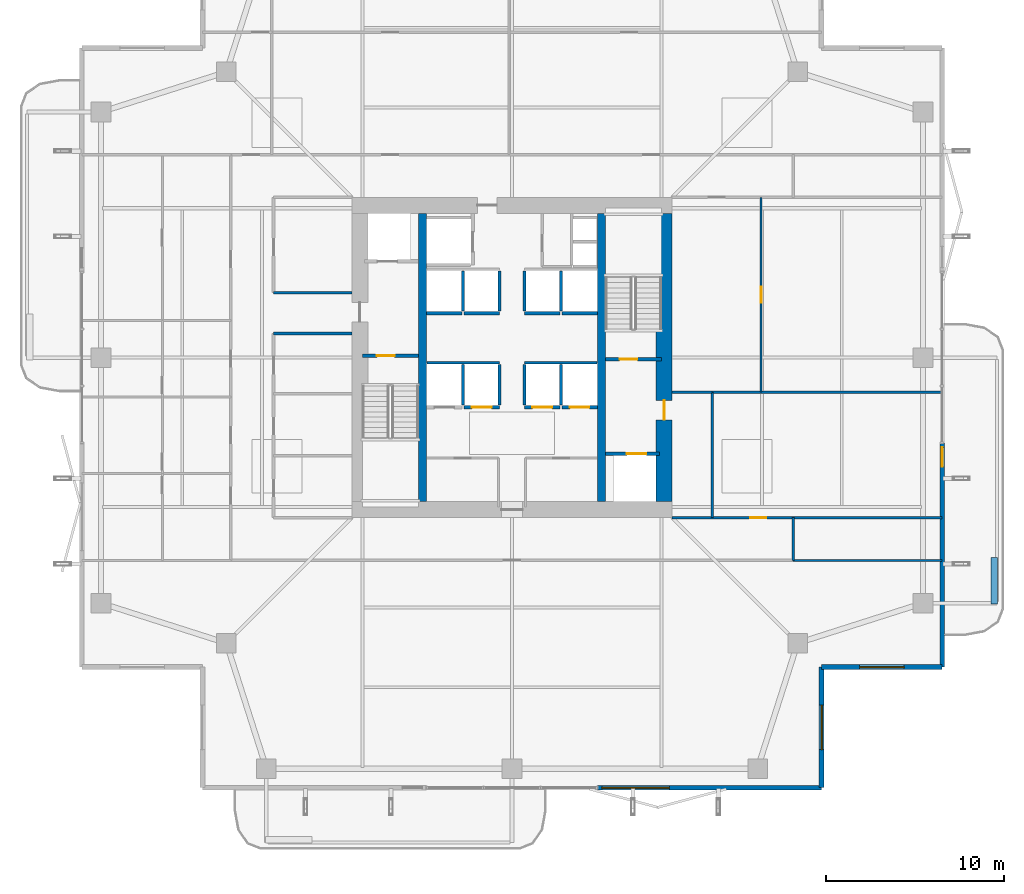
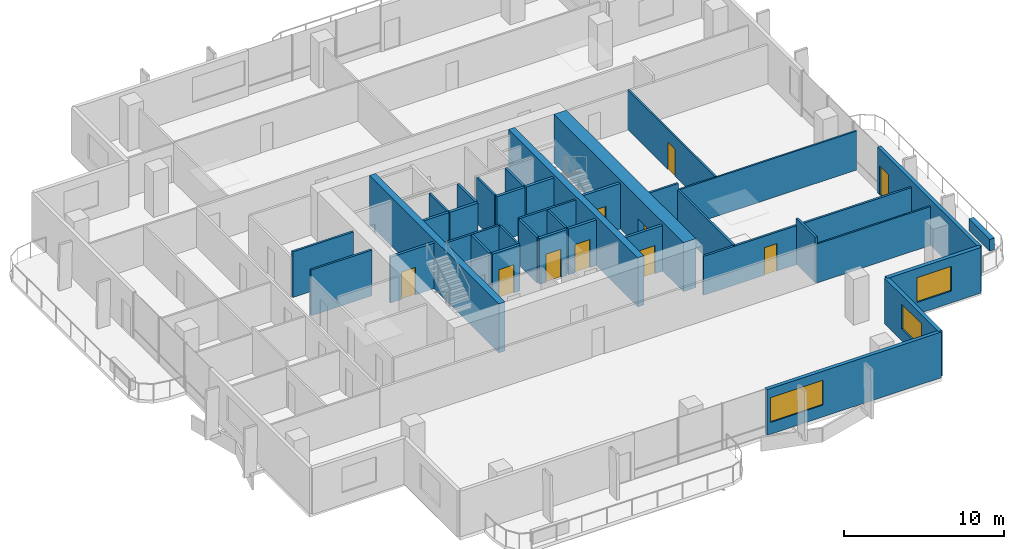
# One storey, part 20 of 25: 37 walls, 10 doors, 3 windows, 13 openings.
"""IFC4 building model written with IfcOpenShell, lengths in metres."""

import ifcopenshell
import ifcopenshell.guid

model = None  # the IFC model being written
_history = None  # IfcOwnerHistory: only IFC2X3 demands one
_inside = {}  # id of a spatial element -> (the spatial element, [elements in it])
_under = {}  # id of a project, library or spatial element -> (it, [spatial elements below it])
_declared = {}  # id of a project -> (the project, [libraries it declares])
_typed = {}  # id of a type object -> (the type object, [elements of that type])
_made_of = {}  # id of a material, layer set ... -> (it, [elements and type objects made of it])


def new_model(schema):
    """Start an empty IFC model of exactly this schema.

    Asked for "IFC4X3", IfcOpenShell would pick the latest addendum, in which some entities
    have other attributes; the version numbers below select the first issue.
    IFC2X3 requires an IfcOwnerHistory on every rooted entity: one is made here for all.
    """
    global model, _history
    if schema == "IFC4X3":
        model = ifcopenshell.file(schema_version=(4, 3, 0, 0))
    else:
        model = ifcopenshell.file(schema=schema)
    _inside.clear()
    _under.clear()
    _declared.clear()
    _typed.clear()
    _made_of.clear()
    _history = None
    if model.schema == "IFC2X3":
        org = make("IfcOrganization", Name="unknown")
        user = make(
            "IfcPersonAndOrganization",
            ThePerson=make("IfcPerson", FamilyName="unknown"),
            TheOrganization=org,
        )
        app = make(
            "IfcApplication",
            ApplicationDeveloper=org,
            Version="unknown",
            ApplicationFullName="unknown",
            ApplicationIdentifier="unknown",
        )
        _history = make(
            "IfcOwnerHistory",
            OwningUser=user,
            OwningApplication=app,
            ChangeAction="ADDED",
            CreationDate=0,
        )
    return model


def make(cls, **values):
    """One entity of the class cls with the attributes given. An attribute that is None is left unset."""
    return model.create_entity(
        cls, **{name: value for name, value in values.items() if value is not None}
    )


def rooted(cls, **values):
    """An entity with a GlobalId (a new one), such as an element, a storey or a relation."""
    return make(cls, GlobalId=ifcopenshell.guid.new(), OwnerHistory=_history, **values)


def si_unit(unit_type, name, prefix=None):
    """IfcSIUnit, for example si_unit("LENGTHUNIT", "METRE", prefix="MILLI")."""
    return make("IfcSIUnit", UnitType=unit_type, Prefix=prefix, Name=name)


def assignment(units):
    """IfcUnitAssignment: the units of a project."""
    return None if units is None else make("IfcUnitAssignment", Units=units)


def point(xyz):
    """IfcCartesianPoint."""
    return None if xyz is None else make("IfcCartesianPoint", Coordinates=xyz)


def direction(xyz):
    """IfcDirection."""
    return None if xyz is None else make("IfcDirection", DirectionRatios=xyz)


def frame(location, z_axis=None, x_axis=None):
    """IfcAxis2Placement3D, a coordinate frame: its origin and axes. An axis left out is left unset."""
    return make(
        "IfcAxis2Placement3D",
        Location=point(location),
        Axis=direction(z_axis),
        RefDirection=direction(x_axis),
    )


def frame_2d(location, x_axis=None):
    """IfcAxis2Placement2D, a coordinate frame in the plane: its origin and x axis."""
    return make(
        "IfcAxis2Placement2D", Location=point(location), RefDirection=direction(x_axis)
    )


def origin():
    """The frame at (0, 0, 0) with its axes left unset."""
    return frame((0.0, 0.0, 0.0))


def place(relative_to, where):
    """IfcLocalPlacement: puts the frame where relative to a parent placement (None: the world)."""
    return make(
        "IfcLocalPlacement", PlacementRelTo=relative_to, RelativePlacement=where
    )


def context(
    kind, dimensions, precision=None, world=None, true_north=None, identifier=None
):
    """IfcGeometricRepresentationContext, for example the 3D "Model" context."""
    return make(
        "IfcGeometricRepresentationContext",
        ContextIdentifier=identifier,
        ContextType=kind,
        CoordinateSpaceDimension=dimensions,
        Precision=precision,
        WorldCoordinateSystem=world,
        TrueNorth=true_north,
    )


def subcontext(parent, identifier, kind, view, scale=None):
    """IfcGeometricRepresentationSubContext, for example "Body" below "Model"."""
    return make(
        "IfcGeometricRepresentationSubContext",
        ContextIdentifier=identifier,
        ContextType=kind,
        ParentContext=parent,
        TargetScale=scale,
        TargetView=view,
    )


def project(units=None, contexts=None):
    """IfcProject with its units and contexts."""
    return rooted(
        "IfcProject",
        Name="project",
        RepresentationContexts=contexts,
        UnitsInContext=assignment(units),
    )


def spatial(cls, under=None, at=None, **own):
    """A site, building, storey or space (cls), placed at a placement, below another one or the project."""
    s = rooted(cls, ObjectPlacement=at, **own)
    if under is not None:
        _under.setdefault(under.id(), (under, []))[1].append(s)
    return s


def profile(cls, at=None, kind="AREA", **sizes):
    """A parametric profile (cls). Its sizes go by their IFC names, for example OverallWidth=200.0."""
    return make(cls, ProfileType=kind, Position=at, **sizes)


def rectangle(**sizes):
    """IfcRectangleProfileDef."""
    return profile("IfcRectangleProfileDef", **sizes)


def extrude(swept, where, along, depth):
    """IfcExtrudedAreaSolid: the profile swept, set in the frame where, extruded along a direction by depth."""
    return make(
        "IfcExtrudedAreaSolid",
        SweptArea=swept,
        Position=where,
        ExtrudedDirection=direction(along),
        Depth=depth,
    )


def shape(context_of_items, identifier, shape_type, items):
    """IfcShapeRepresentation: the items that make up one representation, for example the "Body"."""
    return make(
        "IfcShapeRepresentation",
        ContextOfItems=context_of_items,
        RepresentationIdentifier=identifier,
        RepresentationType=shape_type,
        Items=items,
    )


def material(Name=None, Category=None):
    """IfcMaterial."""
    return make("IfcMaterial", Name=Name, Category=Category)


def layer(
    of_material, thickness, ventilated=None, Name=None, Category=None, Priority=None
):
    """IfcMaterialLayer: one layer of a wall or slab, of a material (None: an air gap)."""
    return make(
        "IfcMaterialLayer",
        Material=of_material,
        LayerThickness=thickness,
        IsVentilated=ventilated,
        Name=Name,
        Category=Category,
        Priority=Priority,
    )


def layer_set(layers, Name=None):
    """IfcMaterialLayerSet."""
    return make("IfcMaterialLayerSet", MaterialLayers=layers, LayerSetName=Name)


def made_of(thing, what):
    """Note that an element or type object is made of a material, layer set ...; save() writes the relation."""
    if what is not None:
        _made_of.setdefault(what.id(), (what, []))[1].append(thing)
    return thing


def type_object(cls, material=None, **own):
    """A type object (cls), such as IfcWallType, which elements share."""
    return made_of(rooted(cls, **own), material)


def element(
    cls,
    number,
    at=None,
    inside=None,
    cuts=None,
    type_object=None,
    material=None,
    context=None,
    identifier="Body",
    shape_type=None,
    held_by="IfcProductDefinitionShape",
    body=None,
    shapes=None,
    **own,
):
    """One element of the class cls, such as IfcWall. Its Tag is "e" and its number.

    at: its placement. inside: the storey or other place that contains it. cuts: it is an
    opening in that element (IfcRelVoidsElement). A single representation is given by context,
    identifier, shape_type and body (its items); several are given by shapes. held_by: the class
    of the entity that holds the representations. save() writes the other relations.
    """
    e = rooted(cls, Tag="e%d" % number, ObjectPlacement=at, **own)
    if body is not None:
        shapes = [shape(context, identifier, shape_type, body)]
    if shapes is not None:
        e.Representation = make(held_by, Representations=shapes)
    if inside is not None:
        _inside.setdefault(inside.id(), (inside, []))[1].append(e)
    if cuts is not None:
        rooted(
            "IfcRelVoidsElement", RelatingBuildingElement=cuts, RelatedOpeningElement=e
        )
    if type_object is not None:
        _typed.setdefault(type_object.id(), (type_object, []))[1].append(e)
    return made_of(e, material)


def fill(opening, filler):
    """IfcRelFillsElement: the door or window that sits in an opening."""
    return rooted(
        "IfcRelFillsElement",
        RelatingOpeningElement=opening,
        RelatedBuildingElement=filler,
    )


def aggregate(whole, parts):
    """IfcRelAggregates: a whole, such as a stair, and the parts it consists of."""
    return rooted("IfcRelAggregates", RelatingObject=whole, RelatedObjects=parts)


def save(model, path):
    """Write the relations noted so far, then the file.

    IfcRelAggregates (storeys below a building ...), IfcRelContainedInSpatialStructure (elements
    in a storey), IfcRelDefinesByType, IfcRelAssociatesMaterial and IfcRelDeclares: one each for
    every whole, place, type object, material and project.
    """
    for whole, parts in _under.values():
        aggregate(whole, parts)
    for where, things in _inside.values():
        rooted(
            "IfcRelContainedInSpatialStructure",
            RelatedElements=things,
            RelatingStructure=where,
        )
    for kind, things in _typed.values():
        rooted("IfcRelDefinesByType", RelatedObjects=things, RelatingType=kind)
    for what, things in _made_of.values():
        rooted("IfcRelAssociatesMaterial", RelatedObjects=things, RelatingMaterial=what)
    for by, libraries in _declared.values():
        rooted("IfcRelDeclares", RelatingContext=by, RelatedDefinitions=libraries)
    model.write(path)


model = new_model("IFC4")

# Units and contexts
model_context = context("Model", 3, precision=1e-05, world=origin(), true_north=direction((0.0, 1.0)))
body_context = subcontext(model_context, "Body", "Model", "MODEL_VIEW")
ifc_project = project(units=[si_unit("LENGTHUNIT", "METRE"), si_unit("AREAUNIT", "SQUARE_METRE"), si_unit("VOLUMEUNIT", "CUBIC_METRE"), si_unit("PLANEANGLEUNIT", "RADIAN"), si_unit("MASSUNIT", "GRAM", prefix="KILO")], contexts=[model_context])

# Site, building, storey
site_placement = place(None, origin())
site = spatial("IfcSite", under=ifc_project, at=site_placement, CompositionType="ELEMENT")
building_placement = place(site_placement, origin())
building = spatial("IfcBuilding", under=site, at=building_placement, Name="Belovzor Exchange Tower", CompositionType="ELEMENT")
storey_placement = place(building_placement, frame((0.0, 0.0, 172.050048828125)))
storey = spatial("IfcBuildingStorey", under=building, at=storey_placement, Name="L42", CompositionType="ELEMENT", Elevation=172.050048828125)

# Wall
ifc_material_1 = material(Name="Acoustic Plasterboard on Galvanised Studs", Category="gypsum")
ifc_layer_1 = layer(ifc_material_1, 0.1201171875)
ifc_layer_set_1 = layer_set([ifc_layer_1], Name="Acoustic Plasterboard on Galvanised Studs")
wall_type_1 = type_object("IfcWallType", Name="Acoustic Double-Stud Partition Wall 120", PredefinedType="PARTITIONING", material=ifc_layer_set_1)
wall_1_placement = place(storey_placement, frame((40.050048828125, 26.85009765625, 0.0), z_axis=(0.0, 0.0, 1.0), x_axis=(1.0, 0.0, 0.0)))
element("IfcWall", 1, at=wall_1_placement, inside=storey, type_object=wall_type_1, Name="W-P120 Partition Wall W-L42-EDIV-1", PredefinedType="PARTITIONING", context=body_context, shape_type="SweptSolid", body=[
    extrude(rectangle(XDim=12.919921875, YDim=0.1201171875, at=frame_2d((6.4599609375, 0.0))), origin(), (0.0, 0.0, 1.0), 2.97998046875),
])

# Wall, opening, door
wall_2_placement = place(storey_placement, frame((42.800048828125, 26.85009765625, 0.0), z_axis=(0.0, 0.0, 1.0), x_axis=(0.0, 1.0, 0.0)))
wall_2 = element("IfcWall", 2, at=wall_2_placement, inside=storey, type_object=wall_type_1, Name="W-P120 Partition Wall W-L42-EDIV-2", PredefinedType="PARTITIONING", context=body_context, shape_type="SweptSolid", body=[
    extrude(rectangle(XDim=10.949951171875, YDim=0.1201171875, at=frame_2d((5.47509765625, 0.0))), origin(), (0.0, 0.0, 1.0), 3.030029296875),
])
opening_1_placement = place(wall_2_placement, frame((5.02490234375, 0.0, 0.0)))
opening_1 = element("IfcOpeningElement", 3, at=opening_1_placement, cuts=wall_2, Name="Opening D-INT-090", PredefinedType="OPENING", context=body_context, shape_type="SweptSolid", body=[
    extrude(rectangle(XDim=0.89990234375, YDim=2.10009765625, at=frame_2d((0.449951171875, 1.050048828125))), frame((0.0, 0.070068359375, 0.0), z_axis=(0.0, -1.0, 0.0), x_axis=(1.0, 0.0, 0.0)), (0.0, 0.0, 1.0), 0.14013671875),
])
ifc_material_2 = material(Name="Veneered Hardwood Acoustic Leaf", Category="wood")
door_type_1 = type_object("IfcDoorType", Name="Trading Suite Acoustic Single Door 900x2100", OperationType="NOTDEFINED", PredefinedType="DOOR", material=ifc_material_2)
door_1_placement = place(opening_1_placement, origin())
door_1 = element("IfcDoor", 4, at=door_1_placement, inside=storey, type_object=door_type_1, Name="D-INT-090 Trading Suite Acoustic Single Door 900x2100", OperationType="SINGLE_SWING_RIGHT", OverallHeight=2.10009765625, OverallWidth=0.89990234375, PredefinedType="DOOR", context=body_context, shape_type="SweptSolid", body=[
    extrude(rectangle(XDim=0.89990234375, YDim=2.10009765625, at=frame_2d((0.449951171875, 1.050048828125))), frame((0.0, 0.02490234375, 0.0), z_axis=(0.0, -1.0, 0.0), x_axis=(1.0, 0.0, 0.0)), (0.0, 0.0, 1.0), 0.050048828125),
])
fill(opening_1, door_1)

# Walls
wall_3_placement = place(storey_placement, frame((44.60009765625, 17.39990234375, 0.0), z_axis=(0.0, 0.0, 1.0), x_axis=(1.0, 0.0, 0.0)))
element("IfcWall", 5, at=wall_3_placement, inside=storey, type_object=wall_type_1, Name="W-P120 Partition Wall W-L42-END-SE", PredefinedType="PARTITIONING", context=body_context, shape_type="SweptSolid", body=[
    extrude(rectangle(XDim=8.369873046875, YDim=0.1201171875, at=frame_2d((4.18505859375, 0.0))), origin(), (0.0, 0.0, 1.0), 2.97998046875),
])
ifc_material_3 = material(Name="Fire-Rated Gypsum Block and Mineral Wool", Category="gypsum")
ifc_layer_2 = layer(ifc_material_3, 0.14990234375)
ifc_layer_set_2 = layer_set([ifc_layer_2], Name="Fire-Rated Gypsum Block and Mineral Wool")
wall_type_2 = type_object("IfcWallType", Name="Fire-Rated Gypsum Block Corridor Wall 150", PredefinedType="PARTITIONING", material=ifc_layer_set_2)
for number, where, z_axis, x_axis, name in (
    (6, (15.39990234375, 30.14990234375, 0.0), (0.0, 0.0, 1.0), (1.0, 0.0, 0.0), "W-P150 Partition Wall W-L42-WIC-N"),
    (7, (15.39990234375, 32.449951171875, 0.0), (0.0, 0.0, 1.0), (1.0, 0.0, 0.0), "W-P150 Partition Wall W-L42-CFW-N"),
):
    element("IfcWall", number, at=place(storey_placement, frame(where, z_axis=z_axis, x_axis=x_axis)), inside=storey, type_object=wall_type_2, Name=name, PredefinedType="PARTITIONING", context=body_context, shape_type="SweptSolid", body=[
        extrude(rectangle(XDim=4.400146484375, YDim=0.14990234375, at=frame_2d((2.2001953125, 0.0))), origin(), (0.0, 0.0, 1.0), 3.494873046875),
    ])
wall_4_placement = place(storey_placement, frame((37.800048828125, 26.85009765625, 0.0), z_axis=(0.0, 0.0, 1.0), x_axis=(1.0, 0.0, 0.0)))
element("IfcWall", 8, at=wall_4_placement, inside=storey, type_object=wall_type_2, Name="W-P150 Partition Wall W-L42-CFE-N", PredefinedType="PARTITIONING", context=body_context, shape_type="SweptSolid", body=[
    extrude(rectangle(XDim=2.25, YDim=0.14990234375, at=frame_2d((1.125, 0.0))), origin(), (0.0, 0.0, 1.0), 3.494873046875),
])
wall_5_placement = place(storey_placement, frame((40.050048828125, 19.800048828125, 0.0), z_axis=(0.0, 0.0, 1.0), x_axis=(0.0, 1.0, 0.0)))
element("IfcWall", 9, at=wall_5_placement, inside=storey, type_object=wall_type_2, Name="W-P150 Partition Wall W-L42-CFE-E", PredefinedType="PARTITIONING", context=body_context, shape_type="SweptSolid", body=[
    extrude(rectangle(XDim=7.050048828125, YDim=0.14990234375, at=frame_2d((3.52490234375, 0.0))), origin(), (0.0, 0.0, 1.0), 3.030029296875),
])
wall_6_placement = place(storey_placement, frame((44.60009765625, 17.39990234375, 0.0), z_axis=(0.0, 0.0, 1.0), x_axis=(0.0, 1.0, 0.0)))
element("IfcWall", 10, at=wall_6_placement, inside=storey, type_object=wall_type_2, Name="W-P150 Partition Wall W-L42-END-ES", PredefinedType="PARTITIONING", context=body_context, shape_type="SweptSolid", body=[
    extrude(rectangle(XDim=2.400146484375, YDim=0.14990234375, at=frame_2d((1.2001953125, 0.0))), origin(), (0.0, 0.0, 1.0), 3.494873046875),
])

# Wall, opening, door
wall_7_placement = place(storey_placement, frame((37.800048828125, 19.800048828125, 0.0), z_axis=(0.0, 0.0, 1.0), x_axis=(1.0, 0.0, 0.0)))
wall_7 = element("IfcWall", 11, at=wall_7_placement, inside=storey, type_object=wall_type_2, Name="W-P150 Partition Wall W-L42-CS-IN", PredefinedType="PARTITIONING", context=body_context, shape_type="SweptSolid", body=[
    extrude(rectangle(XDim=15.169921875, YDim=0.14990234375, at=frame_2d((7.5849609375, 0.0))), origin(), (0.0, 0.0, 1.0), 2.97998046875),
])
opening_2_placement = place(wall_7_placement, frame((4.39990234375, 0.0, 0.0)))
opening_2 = element("IfcOpeningElement", 12, at=opening_2_placement, cuts=wall_7, Name="Opening D-INT-090", PredefinedType="OPENING", context=body_context, shape_type="SweptSolid", body=[
    extrude(rectangle(XDim=0.89990234375, YDim=2.10009765625, at=frame_2d((0.449951171875, 1.050048828125))), frame((0.0, 0.0849609375, 0.0), z_axis=(0.0, -1.0, 0.0), x_axis=(1.0, 0.0, 0.0)), (0.0, 0.0, 1.0), 0.169921875),
])
door_2_placement = place(opening_2_placement, origin())
door_2 = element("IfcDoor", 13, at=door_2_placement, inside=storey, type_object=door_type_1, Name="D-INT-090 Trading Suite Acoustic Single Door 900x2100", OperationType="SINGLE_SWING_LEFT", OverallHeight=2.10009765625, OverallWidth=0.89990234375, PredefinedType="DOOR", context=body_context, shape_type="SweptSolid", body=[
    extrude(rectangle(XDim=0.89990234375, YDim=2.10009765625, at=frame_2d((0.449951171875, 1.050048828125))), frame((0.0, 0.02490234375, 0.0), z_axis=(0.0, -1.0, 0.0), x_axis=(1.0, 0.0, 0.0)), (0.0, 0.0, 1.0), 0.050048828125),
])
fill(opening_2, door_2)

# Wall, opening, window
ifc_material_4 = material(Name="Precast concrete C40/50", Category="concrete")
ifc_layer_3 = layer(ifc_material_4, 0.280029296875)
ifc_layer_set_3 = layer_set([ifc_layer_3], Name="Precast concrete C40/50")
wall_type_3 = type_object("IfcWallType", Name="Precast Concrete Notched Corner Frame Wall 280", PredefinedType="SOLIDWALL", material=ifc_layer_set_3)
wall_8_placement = place(storey_placement, frame((52.969970703125, 11.39990234375, 0.0), z_axis=(0.0, 0.0, 1.0), x_axis=(-1.0, 0.0, 0.0)))
wall_8 = element("IfcWall", 14, at=wall_8_placement, inside=storey, type_object=wall_type_3, Name="W-CRN280 Precast Concrete Notched Corner Frame Wall 280 L42", PredefinedType="SOLIDWALL", context=body_context, shape_type="SweptSolid", body=[
    extrude(rectangle(XDim=6.77001953125, YDim=0.280029296875, at=frame_2d((3.385009765625, 0.0))), origin(), (0.0, 0.0, 1.0), 3.494873046875),
])
opening_3_placement = place(wall_8_placement, frame((2.135009765625, 0.0, 0.89990234375)))
opening_3 = element("IfcOpeningElement", 15, at=opening_3_placement, cuts=wall_8, Name="Opening WN-CRN250", PredefinedType="OPENING", context=body_context, shape_type="SweptSolid", body=[
    extrude(rectangle(XDim=2.5, YDim=1.89990234375, at=frame_2d((1.25, 0.949951171875))), frame((0.0, 0.14990234375, 0.0), z_axis=(0.0, -1.0, 0.0), x_axis=(1.0, 0.0, 0.0)), (0.0, 0.0, 1.0), 0.300048828125),
])
ifc_material_5 = material(Name="Thermally Broken Aluminium and Triple Glazing", Category="aluminium")
window_type_1 = type_object("IfcWindowType", Name="Streamline Moderne Corner Wrap Ribbon Window 2500x1900", PartitioningType="SINGLE_PANEL", PredefinedType="WINDOW", material=ifc_material_5)
window_1_placement = place(opening_3_placement, origin())
window_1 = element("IfcWindow", 16, at=window_1_placement, inside=storey, type_object=window_type_1, Name="WN-CRN250 Streamline Moderne Corner Wrap Ribbon Window 2500x1900", OverallHeight=1.89990234375, OverallWidth=2.5, PartitioningType="SINGLE_PANEL", PredefinedType="WINDOW", context=body_context, shape_type="SweptSolid", body=[
    extrude(rectangle(XDim=2.5, YDim=1.89990234375, at=frame_2d((1.25, 0.949951171875))), frame((0.0, 0.030029296875, 0.0), z_axis=(0.0, -1.0, 0.0), x_axis=(1.0, 0.0, 0.0)), (0.0, 0.0, 1.0), 0.06005859375),
])
fill(opening_3, window_1)

wall_9_placement = place(storey_placement, frame((46.199951171875, 11.39990234375, 0.0), z_axis=(0.0, 0.0, 1.0), x_axis=(0.0, -1.0, 0.0)))
wall_9 = element("IfcWall", 17, at=wall_9_placement, inside=storey, type_object=wall_type_3, Name="W-CRN280 Precast Concrete Notched Corner Frame Wall 280 L42", PredefinedType="SOLIDWALL", context=body_context, shape_type="SweptSolid", body=[
    extrude(rectangle(XDim=6.77001953125, YDim=0.280029296875, at=frame_2d((3.385009765625, 0.0))), origin(), (0.0, 0.0, 1.0), 3.494873046875),
])
opening_4_placement = place(wall_9_placement, frame((2.135009765625, 0.0, 0.89990234375)))
opening_4 = element("IfcOpeningElement", 18, at=opening_4_placement, cuts=wall_9, Name="Opening WN-CRN250", PredefinedType="OPENING", context=body_context, shape_type="SweptSolid", body=[
    extrude(rectangle(XDim=2.5, YDim=1.89990234375, at=frame_2d((1.25, 0.949951171875))), frame((0.0, 0.14990234375, 0.0), z_axis=(0.0, -1.0, 0.0), x_axis=(1.0, 0.0, 0.0)), (0.0, 0.0, 1.0), 0.300048828125),
])
window_2_placement = place(opening_4_placement, origin())
window_2 = element("IfcWindow", 19, at=window_2_placement, inside=storey, type_object=window_type_1, Name="WN-CRN250 Streamline Moderne Corner Wrap Ribbon Window 2500x1900", OverallHeight=1.89990234375, OverallWidth=2.5, PartitioningType="SINGLE_PANEL", PredefinedType="WINDOW", context=body_context, shape_type="SweptSolid", body=[
    extrude(rectangle(XDim=2.5, YDim=1.89990234375, at=frame_2d((1.25, 0.949951171875))), frame((0.0, 0.030029296875, 0.0), z_axis=(0.0, -1.0, 0.0), x_axis=(1.0, 0.0, 0.0)), (0.0, 0.0, 1.0), 0.06005859375),
])
fill(opening_4, window_2)

ifc_material_6 = material(Name="Precast concrete C40/50", Category="concrete")
ifc_layer_4 = layer(ifc_material_6, 0.260009765625)
ifc_layer_set_4 = layer_set([ifc_layer_4], Name="Precast concrete C40/50")
wall_type_4 = type_object("IfcWallType", Name="Precast Concrete Perimeter Loggia Frame Wall 260", PredefinedType="SOLIDWALL", material=ifc_layer_set_4)
wall_10_placement = place(storey_placement, frame((46.199951171875, 4.6298828125, 0.0), z_axis=(0.0, 0.0, 1.0), x_axis=(-1.0, 0.0, 0.0)))
wall_10 = element("IfcWall", 20, at=wall_10_placement, inside=storey, type_object=wall_type_4, Name="W-EXT260 Precast Concrete Perimeter Loggia Frame Wall 260 L42", PredefinedType="SOLIDWALL", context=body_context, shape_type="SweptSolid", body=[
    extrude(rectangle(XDim=12.599853515625, YDim=0.260009765625, at=frame_2d((6.2998046875, 0.0))), origin(), (0.0, 0.0, 1.0), 3.494873046875),
])
opening_5_placement = place(wall_10_placement, frame((8.550048828125, 0.0, 0.89990234375)))
opening_5 = element("IfcOpeningElement", 21, at=opening_5_placement, cuts=wall_10, Name="Opening WN-RIB380", PredefinedType="OPENING", context=body_context, shape_type="SweptSolid", body=[
    extrude(rectangle(XDim=3.800048828125, YDim=1.89990234375, at=frame_2d((1.89990234375, 0.949951171875))), frame((0.0, 0.139892578125, 0.0), z_axis=(0.0, -1.0, 0.0), x_axis=(1.0, 0.0, 0.0)), (0.0, 0.0, 1.0), 0.280029296875),
])
ifc_material_7 = material(Name="Thermally Broken Aluminium and Triple Glazing", Category="aluminium")
window_type_2 = type_object("IfcWindowType", Name="Streamline Moderne Horizontal Ribbon Window 3800x1900", PartitioningType="SINGLE_PANEL", PredefinedType="WINDOW", material=ifc_material_7)
window_3_placement = place(opening_5_placement, origin())
window_3 = element("IfcWindow", 22, at=window_3_placement, inside=storey, type_object=window_type_2, Name="WN-RIB380 Streamline Moderne Horizontal Ribbon Window 3800x1900", OverallHeight=1.89990234375, OverallWidth=3.800048828125, PartitioningType="SINGLE_PANEL", PredefinedType="WINDOW", context=body_context, shape_type="SweptSolid", body=[
    extrude(rectangle(XDim=3.800048828125, YDim=1.89990234375, at=frame_2d((1.89990234375, 0.949951171875))), frame((0.0, 0.030029296875, 0.0), z_axis=(0.0, -1.0, 0.0), x_axis=(1.0, 0.0, 0.0)), (0.0, 0.0, 1.0), 0.06005859375),
])
fill(opening_5, window_3)

# Wall, opening, door
wall_11_placement = place(storey_placement, frame((52.969970703125, 24.0, 0.0), z_axis=(0.0, 0.0, 1.0), x_axis=(0.0, -1.0, 0.0)))
wall_11 = element("IfcWall", 23, at=wall_11_placement, inside=storey, type_object=wall_type_4, Name="W-EXT260 Precast Concrete Perimeter Loggia Frame Wall 260 L42", PredefinedType="SOLIDWALL", context=body_context, shape_type="SweptSolid", body=[
    extrude(rectangle(XDim=12.60009765625, YDim=0.260009765625, at=frame_2d((6.300048828125, 0.0))), origin(), (0.0, 0.0, 1.0), 3.494873046875),
])
opening_6_placement = place(wall_11_placement, frame((0.25, 0.0, 0.0)))
opening_6 = element("IfcOpeningElement", 24, at=opening_6_placement, cuts=wall_11, Name="Opening D-BAL110", PredefinedType="OPENING", context=body_context, shape_type="SweptSolid", body=[
    extrude(rectangle(XDim=1.10009765625, YDim=2.199951171875, at=frame_2d((0.550048828125, 1.10009765625))), frame((0.0, 0.139892578125, 0.0), z_axis=(0.0, -1.0, 0.0), x_axis=(1.0, 0.0, 0.0)), (0.0, 0.0, 1.0), 0.280029296875),
])
ifc_material_8 = material(Name="Thermally Broken Anodised Aluminium and Laminated Glass", Category="aluminium")
door_type_2 = type_object("IfcDoorType", Name="Planted Loggia Terrace Glazed Door 1100x2200", OperationType="SINGLE_SWING_LEFT", PredefinedType="DOOR", material=ifc_material_8)
door_3_placement = place(opening_6_placement, origin())
door_3 = element("IfcDoor", 25, at=door_3_placement, inside=storey, type_object=door_type_2, Name="D-BAL110 Balcony Terrace Door L42 E", OperationType="SINGLE_SWING_LEFT", OverallHeight=2.199951171875, OverallWidth=1.10009765625, PredefinedType="DOOR", context=body_context, shape_type="SweptSolid", body=[
    extrude(rectangle(XDim=1.10009765625, YDim=2.199951171875, at=frame_2d((0.550048828125, 1.10009765625))), frame((0.0, 0.02490234375, 0.0), z_axis=(0.0, -1.0, 0.0), x_axis=(1.0, 0.0, 0.0)), (0.0, 0.0, 1.0), 0.050048828125),
])
fill(opening_6, door_3)

# Walls
ifc_material_9 = material(Name="Precast concrete C40/50", Category="concrete")
ifc_layer_5 = layer(ifc_material_9, 0.35009765625)
ifc_layer_set_5 = layer_set([ifc_layer_5], Name="Precast concrete C40/50")
wall_type_5 = type_object("IfcWallType", Name="Precast Concrete Structural Tree Planter Trough 350", PredefinedType="PARAPET", material=ifc_layer_set_5)
wall_12_placement = place(storey_placement, frame((55.89990234375, 14.949951171875, 0.0), z_axis=(0.0, 0.0, 1.0), x_axis=(0.0, 1.0, 0.0)))
element("IfcWall", 26, at=wall_12_placement, inside=storey, type_object=wall_type_5, Name="PT-350 Precast Concrete Structural Tree Planter Trough 350 L42", PredefinedType="PARAPET", context=body_context, shape_type="SweptSolid", body=[
    extrude(rectangle(XDim=2.60009765625, YDim=0.35009765625, at=frame_2d((1.300048828125, 0.0))), origin(), (0.0, 0.0, 1.0), 0.89990234375),
])
ifc_material_10 = material(Name="Concrete C50/60", Category="concrete")
ifc_layer_6 = layer(ifc_material_10, 0.449951171875)
ifc_layer_set_6 = layer_set([ifc_layer_6], Name="Concrete C50/60")
wall_type_6 = type_object("IfcWallType", Name="Reinforced Concrete Core Internal Web Wall 450", PredefinedType="SHEAR", material=ifc_layer_set_6)
for number, where, z_axis, x_axis, name in (
    (27, (23.77490234375, 20.699951171875, 0.0), (0.0, 0.0, 1.0), (0.0, 1.0, 0.0), "CW-W045 Core Internal Web Wall L42 WL"),
    (28, (33.824951171875, 20.699951171875, 0.0), (0.0, 0.0, 1.0), (0.0, 1.0, 0.0), "CW-W045 Core Internal Web Wall L42 ER"),
):
    element("IfcWall", number, at=place(storey_placement, frame(where, z_axis=z_axis, x_axis=x_axis)), inside=storey, type_object=wall_type_6, Name=name, PredefinedType="SHEAR", context=body_context, shape_type="SweptSolid", body=[
        extrude(rectangle(XDim=16.199951171875, YDim=0.449951171875, at=frame_2d((8.10009765625, 0.0))), origin(), (0.0, 0.0, 1.0), 3.75),
    ])
ifc_material_11 = material(Name="Concrete C50/60", Category="concrete")
ifc_layer_7 = layer(ifc_material_11, 0.14990234375)
ifc_layer_set_7 = layer_set([ifc_layer_7], Name="Concrete C50/60")
wall_type_7 = type_object("IfcWallType", Name="Reinforced Concrete Core Riser Shear Wall 150", PredefinedType="SHEAR", material=ifc_layer_set_7)
for number, where, z_axis, x_axis, name in (
    (29, (24.02001953125, 28.5, 0.0), (0.0, 0.0, 1.0), (1.0, 0.0, 0.0), "W-C150S Core Shaft Wall W-SHB-L42-PLM-NW"),
    (30, (29.5, 28.5, 0.0), (0.0, 0.0, 1.0), (1.0, 0.0, 0.0), "W-C150S Core Shaft Wall W-SHB-L42-PLM-NE"),
):
    element("IfcWall", number, at=place(storey_placement, frame(where, z_axis=z_axis, x_axis=x_axis)), inside=storey, type_object=wall_type_7, Name=name, PredefinedType="SHEAR", context=body_context, shape_type="SweptSolid", body=[
        extrude(rectangle(XDim=4.080078125, YDim=0.14990234375, at=frame_2d((2.0400390625, 0.0))), origin(), (0.0, 0.0, 1.0), 3.494873046875),
    ])
for number, where, z_axis, x_axis, name in (
    (31, (26.050048828125, 26.1201171875, 0.0), (0.0, 0.0, 1.0), (0.0, 1.0, 0.0), "W-C150S Core Shaft Wall W-SHD-L42-PLM-1"),
    (32, (28.10009765625, 26.1201171875, 0.0), (0.0, 0.0, 1.0), (0.0, 1.0, 0.0), "W-C150S Core Shaft Wall W-SHD-L42-PLM-2"),
    (33, (29.5, 26.1201171875, 0.0), (0.0, 0.0, 1.0), (0.0, 1.0, 0.0), "W-C150S Core Shaft Wall W-SHD-L42-PLM-3"),
    (34, (31.550048828125, 26.1201171875, 0.0), (0.0, 0.0, 1.0), (0.0, 1.0, 0.0), "W-C150S Core Shaft Wall W-SHD-L42-PLM-4"),
):
    element("IfcWall", number, at=place(storey_placement, frame(where, z_axis=z_axis, x_axis=x_axis)), inside=storey, type_object=wall_type_7, Name=name, PredefinedType="SHEAR", context=body_context, shape_type="SweptSolid", body=[
        extrude(rectangle(XDim=2.27978515625, YDim=0.14990234375, at=frame_2d((1.139892578125, 0.0))), origin(), (0.0, 0.0, 1.0), 3.494873046875),
    ])
for number, where, z_axis, x_axis, name in (
    (35, (26.050048828125, 31.419921875, 0.0), (0.0, 0.0, 1.0), (0.0, 1.0, 0.0), "W-C150S Core Shaft Wall W-SHD-L42-PLH-1"),
    (36, (28.10009765625, 31.419921875, 0.0), (0.0, 0.0, 1.0), (0.0, 1.0, 0.0), "W-C150S Core Shaft Wall W-SHD-L42-PLH-2"),
    (37, (29.5, 31.419921875, 0.0), (0.0, 0.0, 1.0), (0.0, 1.0, 0.0), "W-C150S Core Shaft Wall W-SHD-L42-PLH-3"),
    (38, (31.550048828125, 31.419921875, 0.0), (0.0, 0.0, 1.0), (0.0, 1.0, 0.0), "W-C150S Core Shaft Wall W-SHD-L42-PLH-4"),
):
    element("IfcWall", number, at=place(storey_placement, frame(where, z_axis=z_axis, x_axis=x_axis)), inside=storey, type_object=wall_type_7, Name=name, PredefinedType="SHEAR", context=body_context, shape_type="SweptSolid", body=[
        extrude(rectangle(XDim=2.239990234375, YDim=0.14990234375, at=frame_2d((1.1201171875, 0.0))), origin(), (0.0, 0.0, 1.0), 3.494873046875),
    ])

# Wall, opening, door
ifc_material_12 = material(Name="Concrete C50/60", Category="concrete")
ifc_layer_8 = layer(ifc_material_12, 0.199951171875)
ifc_layer_set_8 = layer_set([ifc_layer_8], Name="Concrete C50/60")
wall_type_8 = type_object("IfcWallType", Name="Reinforced Concrete Core Shaft Shear Wall 200", PredefinedType="SHEAR", material=ifc_layer_set_8)
wall_13_placement = place(storey_placement, frame((20.39990234375, 28.89990234375, 0.0), z_axis=(0.0, 0.0, 1.0), x_axis=(1.0, 0.0, 0.0)))
wall_13 = element("IfcWall", 39, at=wall_13_placement, inside=storey, type_object=wall_type_8, Name="W-C200S Core Shaft Wall W-CORE-L42-FFLW1", PredefinedType="SHEAR", context=body_context, shape_type="SweptSolid", body=[
    extrude(rectangle(XDim=3.150146484375, YDim=0.199951171875, at=frame_2d((1.5751953125, 0.0))), origin(), (0.0, 0.0, 1.0), 3.494873046875),
])
opening_7_placement = place(wall_13_placement, frame((0.800048828125, 0.0, 0.0)))
opening_7 = element("IfcOpeningElement", 40, at=opening_7_placement, cuts=wall_13, Name="Opening D-FD90-100", PredefinedType="OPENING", context=body_context, shape_type="SweptSolid", body=[
    extrude(rectangle(XDim=1.0, YDim=2.10009765625, at=frame_2d((0.5, 1.050048828125))), frame((0.0, 0.10986328125, 0.0), z_axis=(0.0, -1.0, 0.0), x_axis=(1.0, 0.0, 0.0)), (0.0, 0.0, 1.0), 0.219970703125),
])
ifc_material_13 = material(Name="Fire-Rated Galvanised Steel Leaf", Category="steel")
door_type_3 = type_object("IfcDoorType", Name="Protected Stairwell Single Fire Door 1000x2100", OperationType="NOTDEFINED", PredefinedType="DOOR", material=ifc_material_13)
door_4_placement = place(opening_7_placement, origin())
door_4 = element("IfcDoor", 41, at=door_4_placement, inside=storey, type_object=door_type_3, Name="D-FD90-100 Protected Stairwell Single Fire Door 1000x2100", OperationType="SINGLE_SWING_RIGHT", OverallHeight=2.10009765625, OverallWidth=1.0, PredefinedType="DOOR", context=body_context, shape_type="SweptSolid", body=[
    extrude(rectangle(XDim=1.0, YDim=2.10009765625, at=frame_2d((0.5, 1.050048828125))), frame((0.0, 0.02490234375, 0.0), z_axis=(0.0, -1.0, 0.0), x_axis=(1.0, 0.0, 0.0)), (0.0, 0.0, 1.0), 0.050048828125),
])
fill(opening_7, door_4)

wall_14_placement = place(storey_placement, frame((34.050048828125, 28.699951171875, 0.0), z_axis=(0.0, 0.0, 1.0), x_axis=(1.0, 0.0, 0.0)))
wall_14 = element("IfcWall", 42, at=wall_14_placement, inside=storey, type_object=wall_type_8, Name="W-C200S Core Shaft Wall W-CORE-L42-FFLE2", PredefinedType="SHEAR", context=body_context, shape_type="SweptSolid", body=[
    extrude(rectangle(XDim=3.14990234375, YDim=0.199951171875, at=frame_2d((1.574951171875, 0.0))), origin(), (0.0, 0.0, 1.0), 3.494873046875),
])
opening_8_placement = place(wall_14_placement, frame((0.800048828125, 0.0, 0.0)))
opening_8 = element("IfcOpeningElement", 43, at=opening_8_placement, cuts=wall_14, Name="Opening D-FD90-100", PredefinedType="OPENING", context=body_context, shape_type="SweptSolid", body=[
    extrude(rectangle(XDim=1.0, YDim=2.10009765625, at=frame_2d((0.5, 1.050048828125))), frame((0.0, 0.10986328125, 0.0), z_axis=(0.0, -1.0, 0.0), x_axis=(1.0, 0.0, 0.0)), (0.0, 0.0, 1.0), 0.219970703125),
])
door_5_placement = place(opening_8_placement, origin())
door_5 = element("IfcDoor", 44, at=door_5_placement, inside=storey, type_object=door_type_3, Name="D-FD90-100 Protected Stairwell Single Fire Door 1000x2100", OperationType="SINGLE_SWING_LEFT", OverallHeight=2.10009765625, OverallWidth=1.0, PredefinedType="DOOR", context=body_context, shape_type="SweptSolid", body=[
    extrude(rectangle(XDim=1.0, YDim=2.10009765625, at=frame_2d((0.5, 1.050048828125))), frame((0.0, 0.02490234375, 0.0), z_axis=(0.0, -1.0, 0.0), x_axis=(1.0, 0.0, 0.0)), (0.0, 0.0, 1.0), 0.050048828125),
])
fill(opening_8, door_5)

wall_15_placement = place(storey_placement, frame((34.050048828125, 23.39990234375, 0.0), z_axis=(0.0, 0.0, 1.0), x_axis=(1.0, 0.0, 0.0)))
wall_15 = element("IfcWall", 45, at=wall_15_placement, inside=storey, type_object=wall_type_8, Name="W-C200S Core Shaft Wall W-SH-L42-FFL-02", PredefinedType="SHEAR", context=body_context, shape_type="SweptSolid", body=[
    extrude(rectangle(XDim=3.050048828125, YDim=0.199951171875, at=frame_2d((1.52490234375, 0.0))), origin(), (0.0, 0.0, 1.0), 3.494873046875),
])
opening_9_placement = place(wall_15_placement, frame((1.199951171875, 0.0, 0.0)))
opening_9 = element("IfcOpeningElement", 46, at=opening_9_placement, cuts=wall_15, Name="Opening LD-110", PredefinedType="OPENING", context=body_context, shape_type="SweptSolid", body=[
    extrude(rectangle(XDim=1.10009765625, YDim=2.14990234375, at=frame_2d((0.550048828125, 1.074951171875))), frame((0.0, 0.10986328125, 0.0), z_axis=(0.0, -1.0, 0.0), x_axis=(1.0, 0.0, 0.0)), (0.0, 0.0, 1.0), 0.219970703125),
])
ifc_material_14 = material(Name="Stainless Steel Grade 304", Category="steel")
door_type_4 = type_object("IfcDoorType", Name="Automated Stainless Steel Lift Landing Door 1100x2150", OperationType="SLIDING_TO_RIGHT", PredefinedType="DOOR", material=ifc_material_14)
door_6_placement = place(opening_9_placement, origin())
door_6 = element("IfcDoor", 47, at=door_6_placement, inside=storey, type_object=door_type_4, Name="LD-110 Automated Stainless Steel Lift Landing Door 1100x2150", OperationType="SLIDING_TO_RIGHT", OverallHeight=2.14990234375, OverallWidth=1.10009765625, PredefinedType="DOOR", context=body_context, shape_type="SweptSolid", body=[
    extrude(rectangle(XDim=1.10009765625, YDim=2.14990234375, at=frame_2d((0.550048828125, 1.074951171875))), frame((0.0, 0.02490234375, 0.0), z_axis=(0.0, -1.0, 0.0), x_axis=(1.0, 0.0, 0.0)), (0.0, 0.0, 1.0), 0.050048828125),
])
fill(opening_9, door_6)

wall_16_placement = place(storey_placement, frame((26.10009765625, 26.0, 0.0), z_axis=(0.0, 0.0, 1.0), x_axis=(1.0, 0.0, 0.0)))
wall_16 = element("IfcWall", 48, at=wall_16_placement, inside=storey, type_object=wall_type_8, Name="W-C200S Core Shaft Wall W-SH-L42-PL-M2", PredefinedType="SHEAR", context=body_context, shape_type="SweptSolid", body=[
    extrude(rectangle(XDim=2.0, YDim=0.199951171875, at=frame_2d((1.0, 0.0))), origin(), (0.0, 0.0, 1.0), 3.494873046875),
])
opening_10_placement = place(wall_16_placement, frame((0.449951171875, 0.0, 0.0)))
opening_10 = element("IfcOpeningElement", 49, at=opening_10_placement, cuts=wall_16, Name="Opening LD-110", PredefinedType="OPENING", context=body_context, shape_type="SweptSolid", body=[
    extrude(rectangle(XDim=1.10009765625, YDim=2.14990234375, at=frame_2d((0.550048828125, 1.074951171875))), frame((0.0, 0.10986328125, 0.0), z_axis=(0.0, -1.0, 0.0), x_axis=(1.0, 0.0, 0.0)), (0.0, 0.0, 1.0), 0.219970703125),
])
door_7_placement = place(opening_10_placement, origin())
door_7 = element("IfcDoor", 50, at=door_7_placement, inside=storey, type_object=door_type_4, Name="LD-110 Automated Stainless Steel Lift Landing Door 1100x2150", OperationType="SLIDING_TO_RIGHT", OverallHeight=2.14990234375, OverallWidth=1.10009765625, PredefinedType="DOOR", context=body_context, shape_type="SweptSolid", body=[
    extrude(rectangle(XDim=1.10009765625, YDim=2.14990234375, at=frame_2d((0.550048828125, 1.074951171875))), frame((0.0, 0.02490234375, 0.0), z_axis=(0.0, -1.0, 0.0), x_axis=(1.0, 0.0, 0.0)), (0.0, 0.0, 1.0), 0.050048828125),
])
fill(opening_10, door_7)

wall_17_placement = place(storey_placement, frame((29.5, 26.0, 0.0), z_axis=(0.0, 0.0, 1.0), x_axis=(1.0, 0.0, 0.0)))
wall_17 = element("IfcWall", 51, at=wall_17_placement, inside=storey, type_object=wall_type_8, Name="W-C200S Core Shaft Wall W-SH-L42-PL-M3", PredefinedType="SHEAR", context=body_context, shape_type="SweptSolid", body=[
    extrude(rectangle(XDim=2.0, YDim=0.199951171875, at=frame_2d((1.0, 0.0))), origin(), (0.0, 0.0, 1.0), 3.494873046875),
])
opening_11_placement = place(wall_17_placement, frame((0.449951171875, 0.0, 0.0)))
opening_11 = element("IfcOpeningElement", 52, at=opening_11_placement, cuts=wall_17, Name="Opening LD-110", PredefinedType="OPENING", context=body_context, shape_type="SweptSolid", body=[
    extrude(rectangle(XDim=1.10009765625, YDim=2.14990234375, at=frame_2d((0.550048828125, 1.074951171875))), frame((0.0, 0.10986328125, 0.0), z_axis=(0.0, -1.0, 0.0), x_axis=(1.0, 0.0, 0.0)), (0.0, 0.0, 1.0), 0.219970703125),
])
door_8_placement = place(opening_11_placement, origin())
door_8 = element("IfcDoor", 53, at=door_8_placement, inside=storey, type_object=door_type_4, Name="LD-110 Automated Stainless Steel Lift Landing Door 1100x2150", OperationType="SLIDING_TO_RIGHT", OverallHeight=2.14990234375, OverallWidth=1.10009765625, PredefinedType="DOOR", context=body_context, shape_type="SweptSolid", body=[
    extrude(rectangle(XDim=1.10009765625, YDim=2.14990234375, at=frame_2d((0.550048828125, 1.074951171875))), frame((0.0, 0.02490234375, 0.0), z_axis=(0.0, -1.0, 0.0), x_axis=(1.0, 0.0, 0.0)), (0.0, 0.0, 1.0), 0.050048828125),
])
fill(opening_11, door_8)

wall_18_placement = place(storey_placement, frame((31.60009765625, 26.0, 0.0), z_axis=(0.0, 0.0, 1.0), x_axis=(1.0, 0.0, 0.0)))
wall_18 = element("IfcWall", 54, at=wall_18_placement, inside=storey, type_object=wall_type_8, Name="W-C200S Core Shaft Wall W-SH-L42-PL-M4", PredefinedType="SHEAR", context=body_context, shape_type="SweptSolid", body=[
    extrude(rectangle(XDim=2.0, YDim=0.199951171875, at=frame_2d((1.0, 0.0))), origin(), (0.0, 0.0, 1.0), 3.494873046875),
])
opening_12_placement = place(wall_18_placement, frame((0.449951171875, 0.0, 0.0)))
opening_12 = element("IfcOpeningElement", 55, at=opening_12_placement, cuts=wall_18, Name="Opening LD-110", PredefinedType="OPENING", context=body_context, shape_type="SweptSolid", body=[
    extrude(rectangle(XDim=1.10009765625, YDim=2.14990234375, at=frame_2d((0.550048828125, 1.074951171875))), frame((0.0, 0.10986328125, 0.0), z_axis=(0.0, -1.0, 0.0), x_axis=(1.0, 0.0, 0.0)), (0.0, 0.0, 1.0), 0.219970703125),
])
door_9_placement = place(opening_12_placement, origin())
door_9 = element("IfcDoor", 56, at=door_9_placement, inside=storey, type_object=door_type_4, Name="LD-110 Automated Stainless Steel Lift Landing Door 1100x2150", OperationType="SLIDING_TO_RIGHT", OverallHeight=2.14990234375, OverallWidth=1.10009765625, PredefinedType="DOOR", context=body_context, shape_type="SweptSolid", body=[
    extrude(rectangle(XDim=1.10009765625, YDim=2.14990234375, at=frame_2d((0.550048828125, 1.074951171875))), frame((0.0, 0.02490234375, 0.0), z_axis=(0.0, -1.0, 0.0), x_axis=(1.0, 0.0, 0.0)), (0.0, 0.0, 1.0), 0.050048828125),
])
fill(opening_12, door_9)

# Walls
for number, where, z_axis, x_axis, name in (
    (57, (24.0, 31.300048828125, 0.0), (0.0, 0.0, 1.0), (1.0, 0.0, 0.0), "W-C200S Core Shaft Wall W-SH-L42-PL-H1"),
    (58, (26.10009765625, 31.300048828125, 0.0), (0.0, 0.0, 1.0), (1.0, 0.0, 0.0), "W-C200S Core Shaft Wall W-SH-L42-PL-H2"),
    (59, (29.5, 31.300048828125, 0.0), (0.0, 0.0, 1.0), (1.0, 0.0, 0.0), "W-C200S Core Shaft Wall W-SH-L42-PL-H3"),
    (60, (31.60009765625, 31.300048828125, 0.0), (0.0, 0.0, 1.0), (1.0, 0.0, 0.0), "W-C200S Core Shaft Wall W-SH-L42-PL-H4"),
):
    element("IfcWall", number, at=place(storey_placement, frame(where, z_axis=z_axis, x_axis=x_axis)), inside=storey, type_object=wall_type_8, Name=name, PredefinedType="SHEAR", context=body_context, shape_type="SweptSolid", body=[
        extrude(rectangle(XDim=2.0, YDim=0.199951171875, at=frame_2d((1.0, 0.0))), origin(), (0.0, 0.0, 1.0), 3.494873046875),
    ])

# Wall, opening, door
ifc_material_15 = material(Name="Concrete C60/75", Category="concrete")
ifc_layer_9 = layer(ifc_material_15, 0.89990234375)
ifc_layer_set_9 = layer_set([ifc_layer_9], Name="Concrete C60/75")
wall_type_9 = type_object("IfcWallType", Name="Reinforced Concrete Core Shear Wall 900", PredefinedType="SHEAR", material=ifc_layer_set_9)
wall_19_placement = place(storey_placement, frame((37.35009765625, 20.699951171875, 0.0), z_axis=(0.0, 0.0, 1.0), x_axis=(0.0, 1.0, 0.0)))
wall_19 = element("IfcWall", 61, at=wall_19_placement, inside=storey, type_object=wall_type_9, Name="CW-S090 Core Shear Wall L42 E", PredefinedType="SHEAR", context=body_context, shape_type="SweptSolid", body=[
    extrude(rectangle(XDim=16.199951171875, YDim=0.89990234375, at=frame_2d((8.10009765625, 0.0))), origin(), (0.0, 0.0, 1.0), 3.75),
])
opening_13_placement = place(wall_19_placement, frame((4.60009765625, 0.0, 0.0)))
opening_13 = element("IfcOpeningElement", 62, at=opening_13_placement, cuts=wall_19, Name="Opening D-FD90-110", PredefinedType="OPENING", context=body_context, shape_type="SweptSolid", body=[
    extrude(rectangle(XDim=1.10009765625, YDim=2.14990234375, at=frame_2d((0.550048828125, 1.074951171875))), frame((0.0, 0.4599609375, 0.0), z_axis=(0.0, -1.0, 0.0), x_axis=(1.0, 0.0, 0.0)), (0.0, 0.0, 1.0), 0.919921875),
])
ifc_material_16 = material(Name="Fire-Rated Galvanised Steel Leaf", Category="steel")
door_type_5 = type_object("IfcDoorType", Name="Protected Escape Vestibule Fire Door 1100x2150", OperationType="NOTDEFINED", PredefinedType="DOOR", material=ifc_material_16)
door_10_placement = place(opening_13_placement, origin())
door_10 = element("IfcDoor", 63, at=door_10_placement, inside=storey, type_object=door_type_5, Name="D-FD90-110 Protected Escape Vestibule Fire Door 1100x2150", OperationType="SINGLE_SWING_RIGHT", OverallHeight=2.14990234375, OverallWidth=1.10009765625, PredefinedType="DOOR", context=body_context, shape_type="SweptSolid", body=[
    extrude(rectangle(XDim=1.10009765625, YDim=2.14990234375, at=frame_2d((0.550048828125, 1.074951171875))), frame((0.0, 0.02490234375, 0.0), z_axis=(0.0, -1.0, 0.0), x_axis=(1.0, 0.0, 0.0)), (0.0, 0.0, 1.0), 0.050048828125),
])
fill(opening_13, door_10)

save(model, "model.ifc")
